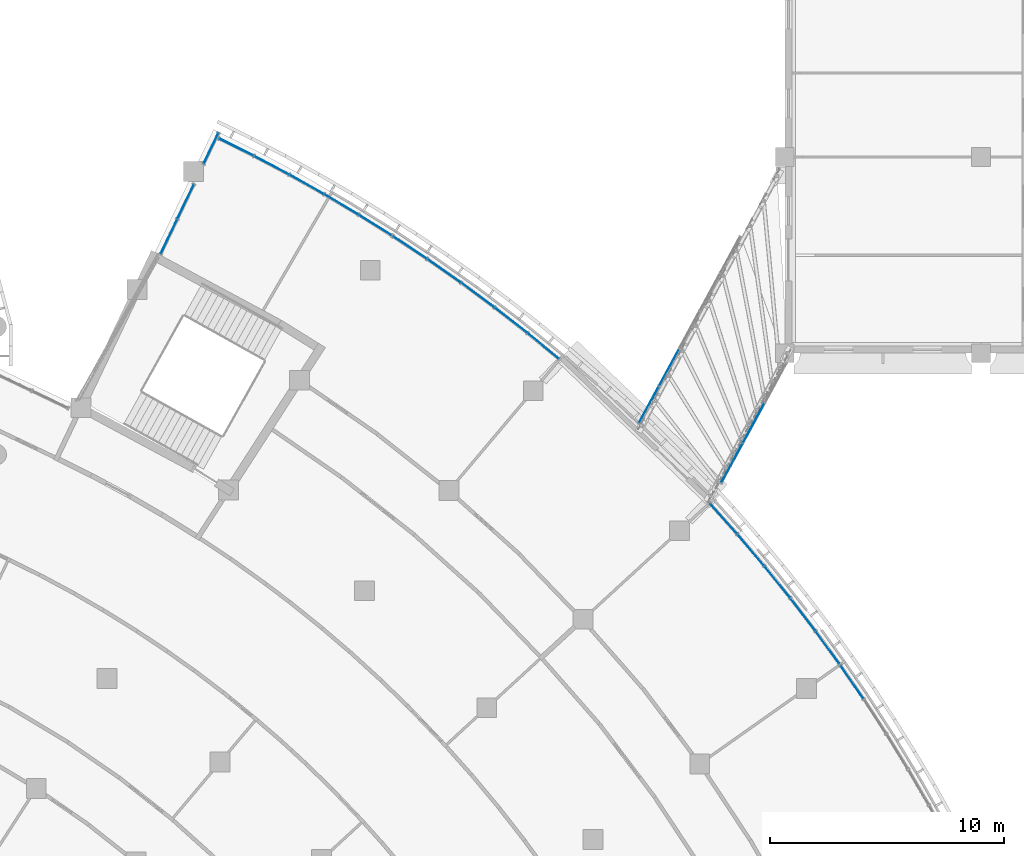
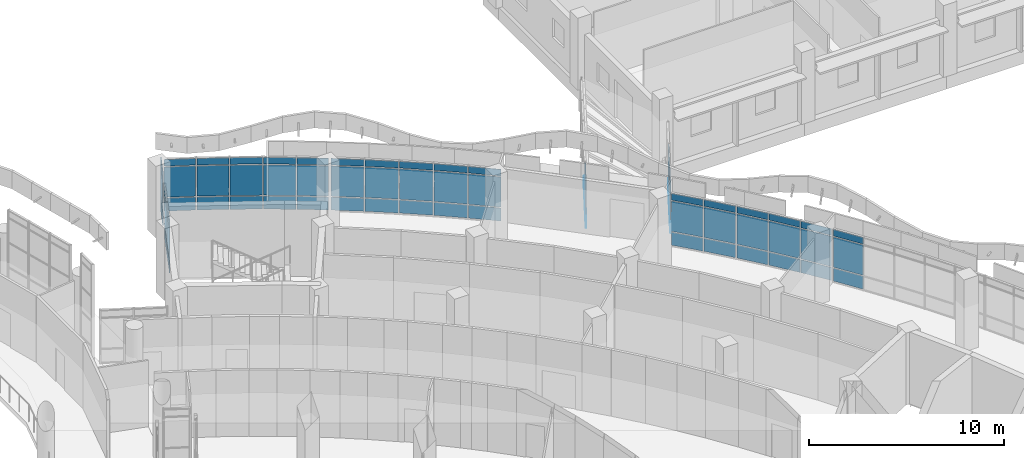
# One storey, part 52 of 136: 64 plates, 8 elements without a shape of their own.
"""IFC4 building model written with IfcOpenShell, lengths in metres."""

from ifc_helpers import new_model, si_unit, direction, frame, origin, origin_2d, place, context, subcontext, project, spatial, rectangle, extrude, material, layer, layer_set, type_object, element, aggregate, save


model = new_model("IFC4")

# Units and contexts
model_context = context("Model", 3, precision=1e-05, world=origin(), true_north=direction((0.0, 1.0)))
body_context = subcontext(model_context, "Body", "Model", "MODEL_VIEW")
ifc_project = project(units=[si_unit("LENGTHUNIT", "METRE"), si_unit("AREAUNIT", "SQUARE_METRE"), si_unit("VOLUMEUNIT", "CUBIC_METRE"), si_unit("PLANEANGLEUNIT", "RADIAN"), si_unit("MASSUNIT", "GRAM", prefix="KILO")], contexts=[model_context])

# Site, building, storey
site_placement = place(None, origin())
site = spatial("IfcSite", under=ifc_project, at=site_placement, CompositionType="ELEMENT")
building_placement = place(site_placement, origin())
building = spatial("IfcBuilding", under=site, at=building_placement, Name="Bougainvillea Quay General Hospital", CompositionType="ELEMENT")
storey_placement = place(building_placement, frame((0.0, 0.0, 5.39990234375)))
storey = spatial("IfcBuildingStorey", under=building, at=storey_placement, Name="L01", CompositionType="ELEMENT", Elevation=5.39990234375)

# Curtain wall, plates
ifc_material_1 = material(Name="Aluminium curtain wall system, powder-coated glazed", Category="aluminium")
curtain_wall_type_1 = type_object("IfcCurtainWallType", Name="Unitised curtain wall CW-2100", PredefinedType="NOTDEFINED", material=ifc_material_1)
curtain_wall_1_placement = place(storey_placement, origin())
curtain_wall_1 = element("IfcCurtainWall", 1, at=curtain_wall_1_placement, inside=storey, type_object=curtain_wall_type_1, Name="CW-E01 a23b0", PredefinedType="NOTDEFINED")
ifc_material_2 = material(Name="Insulated aluminium spandrel panel, white", Category="aluminium")
ifc_layer_1 = layer(ifc_material_2, 0.028076171875)
ifc_layer_set_1 = layer_set([ifc_layer_1], Name="Insulated aluminium spandrel panel, white")
plate_type_1 = type_object("IfcPlateType", Name="Insulated spandrel panel white 28", PredefinedType="CURTAIN_PANEL", material=ifc_layer_set_1)
plate_1_placement = place(storey_placement, frame((140.313720703125, 84.420654296875, 0.06005859375), z_axis=(0.0, 0.0, 1.0), x_axis=(0.895076038559, -0.445913540048, 0.0)))
plate_1 = element("IfcPlate", 2, at=plate_1_placement, type_object=plate_type_1, Name="CW-E01 spandrel panel 1.1", PredefinedType="CURTAIN_PANEL", context=body_context, shape_type="SweptSolid", body=[
    extrude(rectangle(XDim=1.62255859375, YDim=0.028076171875, at=origin_2d()), origin(), (0.0, 0.0, 1.0), 0.81005859375),
])
plate_2_placement = place(storey_placement, frame((140.313720703125, 84.420654296875, 2.88037109375), z_axis=(0.0, 0.0, 1.0), x_axis=(0.895076038559, -0.445913540048, 0.0)))
plate_2 = element("IfcPlate", 3, at=plate_2_placement, type_object=plate_type_1, Name="CW-E01 spandrel panel 1.3", PredefinedType="CURTAIN_PANEL", context=body_context, shape_type="SweptSolid", body=[
    extrude(rectangle(XDim=1.62255859375, YDim=0.028076171875, at=origin_2d()), origin(), (0.0, 0.0, 1.0), 0.409912109375),
])
plate_3_placement = place(storey_placement, frame((141.823486328125, 83.64501953125, 0.06005859375), z_axis=(0.0, 0.0, 1.0), x_axis=(0.883859430833, -0.467752612528, 0.0)))
plate_3 = element("IfcPlate", 4, at=plate_3_placement, type_object=plate_type_1, Name="CW-E01 spandrel panel 2.1", PredefinedType="CURTAIN_PANEL", context=body_context, shape_type="SweptSolid", body=[
    extrude(rectangle(XDim=1.65234375, YDim=0.028076171875, at=origin_2d()), origin(), (0.0, 0.0, 1.0), 0.81005859375),
])
plate_4_placement = place(storey_placement, frame((141.823486328125, 83.64501953125, 2.88037109375), z_axis=(0.0, 0.0, 1.0), x_axis=(0.883859430833, -0.467752612528, 0.0)))
plate_4 = element("IfcPlate", 5, at=plate_4_placement, type_object=plate_type_1, Name="CW-E01 spandrel panel 2.3", PredefinedType="CURTAIN_PANEL", context=body_context, shape_type="SweptSolid", body=[
    extrude(rectangle(XDim=1.65234375, YDim=0.028076171875, at=origin_2d()), origin(), (0.0, 0.0, 1.0), 0.409912109375),
])
plate_5_placement = place(storey_placement, frame((143.326904296875, 82.825439453125, 0.06005859375), z_axis=(0.0, 0.0, 1.0), x_axis=(0.872110070325, -0.489309743656, 0.0)))
plate_5 = element("IfcPlate", 6, at=plate_5_placement, type_object=plate_type_1, Name="CW-E01 spandrel panel 3.1", PredefinedType="CURTAIN_PANEL", context=body_context, shape_type="SweptSolid", body=[
    extrude(rectangle(XDim=1.65234375, YDim=0.028076171875, at=origin_2d()), origin(), (0.0, 0.0, 1.0), 0.81005859375),
])
plate_6_placement = place(storey_placement, frame((143.326904296875, 82.825439453125, 2.88037109375), z_axis=(0.0, 0.0, 1.0), x_axis=(0.872110070325, -0.489309743656, 0.0)))
plate_6 = element("IfcPlate", 7, at=plate_6_placement, type_object=plate_type_1, Name="CW-E01 spandrel panel 3.3", PredefinedType="CURTAIN_PANEL", context=body_context, shape_type="SweptSolid", body=[
    extrude(rectangle(XDim=1.65234375, YDim=0.028076171875, at=origin_2d()), origin(), (0.0, 0.0, 1.0), 0.409912109375),
])
plate_7_placement = place(storey_placement, frame((144.81005859375, 81.969482421875, 0.06005859375), z_axis=(0.0, 0.0, 1.0), x_axis=(0.859835039032, -0.510571939743, 0.0)))
plate_7 = element("IfcPlate", 8, at=plate_7_placement, type_object=plate_type_1, Name="CW-E01 spandrel panel 4.1", PredefinedType="CURTAIN_PANEL", context=body_context, shape_type="SweptSolid", body=[
    extrude(rectangle(XDim=1.65234375, YDim=0.028076171875, at=origin_2d()), origin(), (0.0, 0.0, 1.0), 0.81005859375),
])
plate_8_placement = place(storey_placement, frame((144.81005859375, 81.969482421875, 2.88037109375), z_axis=(0.0, 0.0, 1.0), x_axis=(0.859835039032, -0.510571939743, 0.0)))
plate_8 = element("IfcPlate", 9, at=plate_8_placement, type_object=plate_type_1, Name="CW-E01 spandrel panel 4.3", PredefinedType="CURTAIN_PANEL", context=body_context, shape_type="SweptSolid", body=[
    extrude(rectangle(XDim=1.65234375, YDim=0.028076171875, at=origin_2d()), origin(), (0.0, 0.0, 1.0), 0.409912109375),
])
plate_9_placement = place(storey_placement, frame((146.2587890625, 81.0849609375, 0.06005859375), z_axis=(0.0, 0.0, 1.0), x_axis=(0.847041735837, -0.531526384812, 0.0)))
plate_9 = element("IfcPlate", 10, at=plate_9_placement, type_object=plate_type_1, Name="CW-E01 spandrel panel 5.1", PredefinedType="CURTAIN_PANEL", context=body_context, shape_type="SweptSolid", body=[
    extrude(rectangle(XDim=1.62255859375, YDim=0.028076171875, at=origin_2d()), origin(), (0.0, 0.0, 1.0), 0.81005859375),
])
plate_10_placement = place(storey_placement, frame((146.2587890625, 81.0849609375, 2.88037109375), z_axis=(0.0, 0.0, 1.0), x_axis=(0.847041735837, -0.531526384812, 0.0)))
plate_10 = element("IfcPlate", 11, at=plate_10_placement, type_object=plate_type_1, Name="CW-E01 spandrel panel 5.3", PredefinedType="CURTAIN_PANEL", context=body_context, shape_type="SweptSolid", body=[
    extrude(rectangle(XDim=1.62255859375, YDim=0.028076171875, at=origin_2d()), origin(), (0.0, 0.0, 1.0), 0.409912109375),
])

curtain_wall_2_placement = place(storey_placement, origin())
curtain_wall_2 = element("IfcCurtainWall", 12, at=curtain_wall_2_placement, inside=storey, type_object=curtain_wall_type_1, Name="CW-E02 a23b1", PredefinedType="NOTDEFINED")
plate_11_placement = place(storey_placement, frame((147.7509765625, 80.121826171875, 0.06005859375), z_axis=(0.0, 0.0, 1.0), x_axis=(0.833469434396, -0.552565563465, 0.0)))
plate_11 = element("IfcPlate", 13, at=plate_11_placement, type_object=plate_type_1, Name="CW-E02 spandrel panel 1.1", PredefinedType="CURTAIN_PANEL", context=body_context, shape_type="SweptSolid", body=[
    extrude(rectangle(XDim=1.690185546875, YDim=0.028076171875, at=origin_2d()), origin(), (0.0, 0.0, 1.0), 0.81005859375),
])
plate_12_placement = place(storey_placement, frame((147.7509765625, 80.121826171875, 2.88037109375), z_axis=(0.0, 0.0, 1.0), x_axis=(0.833469434396, -0.552565563465, 0.0)))
plate_12 = element("IfcPlate", 14, at=plate_12_placement, type_object=plate_type_1, Name="CW-E02 spandrel panel 1.3", PredefinedType="CURTAIN_PANEL", context=body_context, shape_type="SweptSolid", body=[
    extrude(rectangle(XDim=1.690185546875, YDim=0.028076171875, at=origin_2d()), origin(), (0.0, 0.0, 1.0), 0.409912109375),
])
plate_13_placement = place(storey_placement, frame((149.20947265625, 79.127685546875, 0.06005859375), z_axis=(0.0, 0.0, 1.0), x_axis=(0.819095979911, -0.573656496253, 0.0)))
plate_13 = element("IfcPlate", 15, at=plate_13_placement, type_object=plate_type_1, Name="CW-E02 spandrel panel 2.1", PredefinedType="CURTAIN_PANEL", context=body_context, shape_type="SweptSolid", body=[
    extrude(rectangle(XDim=1.72021484375, YDim=0.028076171875, at=origin_2d()), origin(), (0.0, 0.0, 1.0), 0.81005859375),
])
plate_14_placement = place(storey_placement, frame((149.20947265625, 79.127685546875, 2.88037109375), z_axis=(0.0, 0.0, 1.0), x_axis=(0.819095979911, -0.573656496253, 0.0)))
plate_14 = element("IfcPlate", 16, at=plate_14_placement, type_object=plate_type_1, Name="CW-E02 spandrel panel 2.3", PredefinedType="CURTAIN_PANEL", context=body_context, shape_type="SweptSolid", body=[
    extrude(rectangle(XDim=1.72021484375, YDim=0.028076171875, at=origin_2d()), origin(), (0.0, 0.0, 1.0), 0.409912109375),
])
plate_15_placement = place(storey_placement, frame((150.654541015625, 78.087890625, 0.06005859375), z_axis=(0.0, 0.0, 1.0), x_axis=(0.804188946942, -0.594373735638, 0.0)))
plate_15 = element("IfcPlate", 17, at=plate_15_placement, type_object=plate_type_1, Name="CW-E02 spandrel panel 3.1", PredefinedType="CURTAIN_PANEL", context=body_context, shape_type="SweptSolid", body=[
    extrude(rectangle(XDim=1.72021484375, YDim=0.028076171875, at=origin_2d()), origin(), (0.0, 0.0, 1.0), 0.81005859375),
])
plate_16_placement = place(storey_placement, frame((150.654541015625, 78.087890625, 2.88037109375), z_axis=(0.0, 0.0, 1.0), x_axis=(0.804188946942, -0.594373735638, 0.0)))
plate_16 = element("IfcPlate", 18, at=plate_16_placement, type_object=plate_type_1, Name="CW-E02 spandrel panel 3.3", PredefinedType="CURTAIN_PANEL", context=body_context, shape_type="SweptSolid", body=[
    extrude(rectangle(XDim=1.72021484375, YDim=0.028076171875, at=origin_2d()), origin(), (0.0, 0.0, 1.0), 0.409912109375),
])
plate_17_placement = place(storey_placement, frame((152.072265625, 77.01171875, 0.06005859375), z_axis=(0.0, 0.0, 1.0), x_axis=(0.788758046282, -0.614703785921, 0.0)))
plate_17 = element("IfcPlate", 19, at=plate_17_placement, type_object=plate_type_1, Name="CW-E02 spandrel panel 4.1", PredefinedType="CURTAIN_PANEL", context=body_context, shape_type="SweptSolid", body=[
    extrude(rectangle(XDim=1.72021484375, YDim=0.028076171875, at=origin_2d()), origin(), (0.0, 0.0, 1.0), 0.81005859375),
])
plate_18_placement = place(storey_placement, frame((152.072265625, 77.01171875, 2.88037109375), z_axis=(0.0, 0.0, 1.0), x_axis=(0.788758046282, -0.614703785921, 0.0)))
plate_18 = element("IfcPlate", 20, at=plate_18_placement, type_object=plate_type_1, Name="CW-E02 spandrel panel 4.3", PredefinedType="CURTAIN_PANEL", context=body_context, shape_type="SweptSolid", body=[
    extrude(rectangle(XDim=1.72021484375, YDim=0.028076171875, at=origin_2d()), origin(), (0.0, 0.0, 1.0), 0.409912109375),
])
plate_19_placement = place(storey_placement, frame((153.45068359375, 75.9091796875, 0.06005859375), z_axis=(0.0, 0.0, 1.0), x_axis=(0.772813329985, -0.634633403626, 0.0)))
plate_19 = element("IfcPlate", 21, at=plate_19_placement, type_object=plate_type_1, Name="CW-E02 spandrel panel 5.1", PredefinedType="CURTAIN_PANEL", context=body_context, shape_type="SweptSolid", body=[
    extrude(rectangle(XDim=1.690185546875, YDim=0.028076171875, at=origin_2d()), origin(), (0.0, 0.0, 1.0), 0.81005859375),
])
plate_20_placement = place(storey_placement, frame((153.45068359375, 75.9091796875, 2.88037109375), z_axis=(0.0, 0.0, 1.0), x_axis=(0.772813329985, -0.634633403626, 0.0)))
plate_20 = element("IfcPlate", 22, at=plate_20_placement, type_object=plate_type_1, Name="CW-E02 spandrel panel 5.3", PredefinedType="CURTAIN_PANEL", context=body_context, shape_type="SweptSolid", body=[
    extrude(rectangle(XDim=1.690185546875, YDim=0.028076171875, at=origin_2d()), origin(), (0.0, 0.0, 1.0), 0.409912109375),
])

curtain_wall_3_placement = place(storey_placement, origin())
curtain_wall_3 = element("IfcCurtainWall", 23, at=curtain_wall_3_placement, inside=storey, type_object=curtain_wall_type_1, Name="CW-E04 a23b3", PredefinedType="NOTDEFINED")
plate_21_placement = place(storey_placement, frame((161.176513671875, 68.505859375, 0.06005859375), z_axis=(0.0, 0.0, 1.0), x_axis=(0.666959122159, -0.745094309044, 0.0)))
plate_21 = element("IfcPlate", 24, at=plate_21_placement, type_object=plate_type_1, Name="CW-E04 spandrel panel 1.1", PredefinedType="CURTAIN_PANEL", context=body_context, shape_type="SweptSolid", body=[
    extrude(rectangle(XDim=1.690185546875, YDim=0.028076171875, at=origin_2d()), origin(), (0.0, 0.0, 1.0), 0.81005859375),
])
plate_22_placement = place(storey_placement, frame((161.176513671875, 68.505859375, 2.88037109375), z_axis=(0.0, 0.0, 1.0), x_axis=(0.666959122159, -0.745094309044, 0.0)))
plate_22 = element("IfcPlate", 25, at=plate_22_placement, type_object=plate_type_1, Name="CW-E04 spandrel panel 1.3", PredefinedType="CURTAIN_PANEL", context=body_context, shape_type="SweptSolid", body=[
    extrude(rectangle(XDim=1.690185546875, YDim=0.028076171875, at=origin_2d()), origin(), (0.0, 0.0, 1.0), 0.409912109375),
])
plate_23_placement = place(storey_placement, frame((162.336669921875, 67.175537109375, 0.06005859375), z_axis=(0.0, 0.0, 1.0), x_axis=(0.647726390606, -0.761873035953, 0.0)))
plate_23 = element("IfcPlate", 26, at=plate_23_placement, type_object=plate_type_1, Name="CW-E04 spandrel panel 2.1", PredefinedType="CURTAIN_PANEL", context=body_context, shape_type="SweptSolid", body=[
    extrude(rectangle(XDim=1.72021484375, YDim=0.028076171875, at=origin_2d()), origin(), (0.0, 0.0, 1.0), 0.81005859375),
])
plate_24_placement = place(storey_placement, frame((162.336669921875, 67.175537109375, 2.88037109375), z_axis=(0.0, 0.0, 1.0), x_axis=(0.647726390606, -0.761873035953, 0.0)))
plate_24 = element("IfcPlate", 27, at=plate_24_placement, type_object=plate_type_1, Name="CW-E04 spandrel panel 2.3", PredefinedType="CURTAIN_PANEL", context=body_context, shape_type="SweptSolid", body=[
    extrude(rectangle(XDim=1.72021484375, YDim=0.028076171875, at=origin_2d()), origin(), (0.0, 0.0, 1.0), 0.409912109375),
])
plate_25_placement = place(storey_placement, frame((163.47216796875, 65.8046875, 0.06005859375), z_axis=(0.0, 0.0, 1.0), x_axis=(0.62807171477, -0.778155460757, 0.0)))
plate_25 = element("IfcPlate", 28, at=plate_25_placement, type_object=plate_type_1, Name="CW-E04 spandrel panel 3.1", PredefinedType="CURTAIN_PANEL", context=body_context, shape_type="SweptSolid", body=[
    extrude(rectangle(XDim=1.72021484375, YDim=0.028076171875, at=origin_2d()), origin(), (0.0, 0.0, 1.0), 0.81005859375),
])
plate_26_placement = place(storey_placement, frame((163.47216796875, 65.8046875, 2.88037109375), z_axis=(0.0, 0.0, 1.0), x_axis=(0.62807171477, -0.778155460757, 0.0)))
plate_26 = element("IfcPlate", 29, at=plate_26_placement, type_object=plate_type_1, Name="CW-E04 spandrel panel 3.3", PredefinedType="CURTAIN_PANEL", context=body_context, shape_type="SweptSolid", body=[
    extrude(rectangle(XDim=1.72021484375, YDim=0.028076171875, at=origin_2d()), origin(), (0.0, 0.0, 1.0), 0.409912109375),
])
plate_27_placement = place(storey_placement, frame((164.572509765625, 64.4052734375, 0.06005859375), z_axis=(0.0, 0.0, 1.0), x_axis=(0.608007898172, -0.793930976698, 0.0)))
plate_27 = element("IfcPlate", 30, at=plate_27_placement, type_object=plate_type_1, Name="CW-E04 spandrel panel 4.1", PredefinedType="CURTAIN_PANEL", context=body_context, shape_type="SweptSolid", body=[
    extrude(rectangle(XDim=1.72021484375, YDim=0.028076171875, at=origin_2d()), origin(), (0.0, 0.0, 1.0), 0.81005859375),
])
plate_28_placement = place(storey_placement, frame((164.572509765625, 64.4052734375, 2.88037109375), z_axis=(0.0, 0.0, 1.0), x_axis=(0.608007898172, -0.793930976698, 0.0)))
plate_28 = element("IfcPlate", 31, at=plate_28_placement, type_object=plate_type_1, Name="CW-E04 spandrel panel 4.3", PredefinedType="CURTAIN_PANEL", context=body_context, shape_type="SweptSolid", body=[
    extrude(rectangle(XDim=1.72021484375, YDim=0.028076171875, at=origin_2d()), origin(), (0.0, 0.0, 1.0), 0.409912109375),
])
plate_29_placement = place(storey_placement, frame((165.6279296875, 62.990478515625, 0.06005859375), z_axis=(0.0, 0.0, 1.0), x_axis=(0.587548010856, -0.809189307232, 0.0)))
plate_29 = element("IfcPlate", 32, at=plate_29_placement, type_object=plate_type_1, Name="CW-E04 spandrel panel 5.1", PredefinedType="CURTAIN_PANEL", context=body_context, shape_type="SweptSolid", body=[
    extrude(rectangle(XDim=1.690185546875, YDim=0.028076171875, at=origin_2d()), origin(), (0.0, 0.0, 1.0), 0.81005859375),
])
plate_30_placement = place(storey_placement, frame((165.6279296875, 62.990478515625, 2.88037109375), z_axis=(0.0, 0.0, 1.0), x_axis=(0.587548010856, -0.809189307232, 0.0)))
plate_30 = element("IfcPlate", 33, at=plate_30_placement, type_object=plate_type_1, Name="CW-E04 spandrel panel 5.3", PredefinedType="CURTAIN_PANEL", context=body_context, shape_type="SweptSolid", body=[
    extrude(rectangle(XDim=1.690185546875, YDim=0.028076171875, at=origin_2d()), origin(), (0.0, 0.0, 1.0), 0.409912109375),
])

curtain_wall_4_placement = place(storey_placement, origin())
curtain_wall_4 = element("IfcCurtainWall", 34, at=curtain_wall_4_placement, inside=storey, type_object=curtain_wall_type_1, Name="CW-E05 a23b4", PredefinedType="NOTDEFINED")
plate_31_placement = place(storey_placement, frame((166.672607421875, 61.512451171875, 0.06005859375), z_axis=(0.0, 0.0, 1.0), x_axis=(0.566705380876, -0.823920512723, 0.0)))
plate_31 = element("IfcPlate", 35, at=plate_31_placement, type_object=plate_type_1, Name="CW-E05 spandrel panel 1.1", PredefinedType="CURTAIN_PANEL", context=body_context, shape_type="SweptSolid", body=[
    extrude(rectangle(XDim=1.690185546875, YDim=0.028076171875, at=origin_2d()), origin(), (0.0, 0.0, 1.0), 0.81005859375),
])
plate_32_placement = place(storey_placement, frame((166.672607421875, 61.512451171875, 2.88037109375), z_axis=(0.0, 0.0, 1.0), x_axis=(0.566705380876, -0.823920512723, 0.0)))
plate_32 = element("IfcPlate", 36, at=plate_32_placement, type_object=plate_type_1, Name="CW-E05 spandrel panel 1.3", PredefinedType="CURTAIN_PANEL", context=body_context, shape_type="SweptSolid", body=[
    extrude(rectangle(XDim=1.690185546875, YDim=0.028076171875, at=origin_2d()), origin(), (0.0, 0.0, 1.0), 0.409912109375),
])

curtain_wall_type_2 = type_object("IfcCurtainWallType", Name="Unitised curtain wall CW-1555", PredefinedType="NOTDEFINED", material=ifc_material_1)
curtain_wall_5_placement = place(storey_placement, origin())
curtain_wall_5 = element("IfcCurtainWall", 37, at=curtain_wall_5_placement, inside=storey, type_object=curtain_wall_type_2, Name="CW-AE 00", PredefinedType="NOTDEFINED")
plate_33_placement = place(storey_placement, frame((139.22705078125, 84.37158203125, 0.06005859375), z_axis=(0.0, 0.0, 1.0), x_axis=(-0.430530445105, -0.902576055431, 0.0)))
plate_33 = element("IfcPlate", 38, at=plate_33_placement, type_object=plate_type_1, Name="CW-AE spandrel panel 1.1", PredefinedType="CURTAIN_PANEL", context=body_context, shape_type="SweptSolid", body=[
    extrude(rectangle(XDim=1.434814453125, YDim=0.028076171875, at=origin_2d()), origin(), (0.0, 0.0, 1.0), 0.81005859375),
])
plate_34_placement = place(storey_placement, frame((139.22705078125, 84.37158203125, 2.88037109375), z_axis=(0.0, 0.0, 1.0), x_axis=(-0.430530445105, -0.902576055431, 0.0)))
plate_34 = element("IfcPlate", 39, at=plate_34_placement, type_object=plate_type_1, Name="CW-AE spandrel panel 1.3", PredefinedType="CURTAIN_PANEL", context=body_context, shape_type="SweptSolid", body=[
    extrude(rectangle(XDim=1.434814453125, YDim=0.028076171875, at=origin_2d()), origin(), (0.0, 0.0, 1.0), 0.409912109375),
])

curtain_wall_type_3 = type_object("IfcCurtainWallType", Name="Unitised curtain wall CW-1691", PredefinedType="NOTDEFINED", material=ifc_material_1)
curtain_wall_6_placement = place(storey_placement, origin())
curtain_wall_6 = element("IfcCurtainWall", 40, at=curtain_wall_6_placement, inside=storey, type_object=curtain_wall_type_3, Name="CW-AE 01", PredefinedType="NOTDEFINED")
plate_35_placement = place(storey_placement, frame((138.138671875, 82.09033203125, 0.06005859375), z_axis=(0.0, 0.0, 1.0), x_axis=(-0.430530445105, -0.902576055431, 0.0)))
plate_35 = element("IfcPlate", 41, at=plate_35_placement, type_object=plate_type_1, Name="CW-AE spandrel panel 1.1", PredefinedType="CURTAIN_PANEL", context=body_context, shape_type="SweptSolid", body=[
    extrude(rectangle(XDim=1.600341796875, YDim=0.028076171875, at=origin_2d()), origin(), (0.0, 0.0, 1.0), 0.81005859375),
])
plate_36_placement = place(storey_placement, frame((138.138671875, 82.09033203125, 2.88037109375), z_axis=(0.0, 0.0, 1.0), x_axis=(-0.430530445105, -0.902576055431, 0.0)))
plate_36 = element("IfcPlate", 42, at=plate_36_placement, type_object=plate_type_1, Name="CW-AE spandrel panel 1.3", PredefinedType="CURTAIN_PANEL", context=body_context, shape_type="SweptSolid", body=[
    extrude(rectangle(XDim=1.600341796875, YDim=0.028076171875, at=origin_2d()), origin(), (0.0, 0.0, 1.0), 0.409912109375),
])
plate_37_placement = place(storey_placement, frame((137.423828125, 80.591796875, 0.06005859375), z_axis=(0.0, 0.0, 1.0), x_axis=(-0.430530445105, -0.902576055431, 0.0)))
plate_37 = element("IfcPlate", 43, at=plate_37_placement, type_object=plate_type_1, Name="CW-AE spandrel panel 2.1", PredefinedType="CURTAIN_PANEL", context=body_context, shape_type="SweptSolid", body=[
    extrude(rectangle(XDim=1.600341796875, YDim=0.028076171875, at=origin_2d()), origin(), (0.0, 0.0, 1.0), 0.81005859375),
])
plate_38_placement = place(storey_placement, frame((137.423828125, 80.591796875, 2.88037109375), z_axis=(0.0, 0.0, 1.0), x_axis=(-0.430530445105, -0.902576055431, 0.0)))
plate_38 = element("IfcPlate", 44, at=plate_38_placement, type_object=plate_type_1, Name="CW-AE spandrel panel 2.3", PredefinedType="CURTAIN_PANEL", context=body_context, shape_type="SweptSolid", body=[
    extrude(rectangle(XDim=1.600341796875, YDim=0.028076171875, at=origin_2d()), origin(), (0.0, 0.0, 1.0), 0.409912109375),
])

curtain_wall_7_placement = place(storey_placement, origin())
curtain_wall_7 = element("IfcCurtainWall", 45, at=curtain_wall_7_placement, inside=storey, type_object=curtain_wall_type_1, Name="BG-L L", PredefinedType="NOTDEFINED")
plate_39_placement = place(storey_placement, frame((157.97216796875, 73.390625, 0.06005859375), z_axis=(0.0, 0.0, 1.0), x_axis=(0.477017106163, 0.878894009781, 0.0)))
plate_39 = element("IfcPlate", 46, at=plate_39_placement, type_object=plate_type_1, Name="BG-L spandrel panel 1.1", PredefinedType="CURTAIN_PANEL", context=body_context, shape_type="SweptSolid", body=[
    extrude(rectangle(XDim=1.743896484375, YDim=0.028076171875, at=origin_2d()), origin(), (0.0, 0.0, 1.0), 0.81005859375),
])
plate_40_placement = place(storey_placement, frame((158.83984375, 74.9892578125, 0.06005859375), z_axis=(0.0, 0.0, 1.0), x_axis=(0.477017106163, 0.878894009781, 0.0)))
plate_40 = element("IfcPlate", 47, at=plate_40_placement, type_object=plate_type_1, Name="BG-L spandrel panel 2.1", PredefinedType="CURTAIN_PANEL", context=body_context, shape_type="SweptSolid", body=[
    extrude(rectangle(XDim=1.77392578125, YDim=0.028076171875, at=origin_2d()), origin(), (0.0, 0.0, 1.0), 0.81005859375),
])

curtain_wall_8_placement = place(storey_placement, origin())
curtain_wall_8 = element("IfcCurtainWall", 48, at=curtain_wall_8_placement, inside=storey, type_object=curtain_wall_type_1, Name="BG-R R", PredefinedType="NOTDEFINED")
plate_41_placement = place(storey_placement, frame((162.46044921875, 72.603759765625, 0.06005859375), z_axis=(0.0, 0.0, 1.0), x_axis=(-0.477017106163, -0.878894009781, 0.0)))
plate_41 = element("IfcPlate", 49, at=plate_41_placement, type_object=plate_type_1, Name="BG-R spandrel panel 2.1", PredefinedType="CURTAIN_PANEL", context=body_context, shape_type="SweptSolid", body=[
    extrude(rectangle(XDim=1.9091796875, YDim=0.028076171875, at=origin_2d()), origin(), (0.0, 0.0, 1.0), 0.81005859375),
])
plate_42_placement = place(storey_placement, frame((161.5283203125, 70.88623046875, 0.06005859375), z_axis=(0.0, 0.0, 1.0), x_axis=(-0.477017106163, -0.878894009781, 0.0)))
plate_42 = element("IfcPlate", 50, at=plate_42_placement, type_object=plate_type_1, Name="BG-R spandrel panel 3.1", PredefinedType="CURTAIN_PANEL", context=body_context, shape_type="SweptSolid", body=[
    extrude(rectangle(XDim=1.87939453125, YDim=0.028076171875, at=origin_2d()), origin(), (0.0, 0.0, 1.0), 0.81005859375),
])

# Plate
ifc_material_3 = material(Name="Low-e laminated glass, solar control", Category="glass")
ifc_layer_2 = layer(ifc_material_3, 0.028076171875)
ifc_layer_set_2 = layer_set([ifc_layer_2], Name="Low-e laminated glass, solar control")
plate_type_2 = type_object("IfcPlateType", Name="Low-e laminated vision glass 28", PredefinedType="CURTAIN_PANEL", material=ifc_layer_set_2)
plate_43_placement = place(storey_placement, frame((140.313720703125, 84.420654296875, 0.93017578125), z_axis=(0.0, 0.0, 1.0), x_axis=(0.895076038559, -0.445913540048, 0.0)))
plate_43 = element("IfcPlate", 51, at=plate_43_placement, type_object=plate_type_2, Name="CW-E01 vision glass panel 1.2", PredefinedType="CURTAIN_PANEL", context=body_context, shape_type="SweptSolid", body=[
    extrude(rectangle(XDim=1.62255859375, YDim=0.028076171875, at=origin_2d()), origin(), (0.0, 0.0, 1.0), 1.889892578125),
])

plate_44_placement = place(storey_placement, frame((141.823486328125, 83.64501953125, 0.93017578125), z_axis=(0.0, 0.0, 1.0), x_axis=(0.883859430833, -0.467752612528, 0.0)))
plate_44 = element("IfcPlate", 52, at=plate_44_placement, type_object=plate_type_2, Name="CW-E01 vision glass panel 2.2", PredefinedType="CURTAIN_PANEL", context=body_context, shape_type="SweptSolid", body=[
    extrude(rectangle(XDim=1.65234375, YDim=0.028076171875, at=origin_2d()), origin(), (0.0, 0.0, 1.0), 1.889892578125),
])

plate_45_placement = place(storey_placement, frame((143.326904296875, 82.825439453125, 0.93017578125), z_axis=(0.0, 0.0, 1.0), x_axis=(0.872110070325, -0.489309743656, 0.0)))
plate_45 = element("IfcPlate", 53, at=plate_45_placement, type_object=plate_type_2, Name="CW-E01 vision glass panel 3.2", PredefinedType="CURTAIN_PANEL", context=body_context, shape_type="SweptSolid", body=[
    extrude(rectangle(XDim=1.65234375, YDim=0.028076171875, at=origin_2d()), origin(), (0.0, 0.0, 1.0), 1.889892578125),
])

plate_46_placement = place(storey_placement, frame((144.81005859375, 81.969482421875, 0.93017578125), z_axis=(0.0, 0.0, 1.0), x_axis=(0.859835039032, -0.510571939743, 0.0)))
plate_46 = element("IfcPlate", 54, at=plate_46_placement, type_object=plate_type_2, Name="CW-E01 vision glass panel 4.2", PredefinedType="CURTAIN_PANEL", context=body_context, shape_type="SweptSolid", body=[
    extrude(rectangle(XDim=1.65234375, YDim=0.028076171875, at=origin_2d()), origin(), (0.0, 0.0, 1.0), 1.889892578125),
])

plate_47_placement = place(storey_placement, frame((146.2587890625, 81.0849609375, 0.93017578125), z_axis=(0.0, 0.0, 1.0), x_axis=(0.847041735837, -0.531526384812, 0.0)))
plate_47 = element("IfcPlate", 55, at=plate_47_placement, type_object=plate_type_2, Name="CW-E01 vision glass panel 5.2", PredefinedType="CURTAIN_PANEL", context=body_context, shape_type="SweptSolid", body=[
    extrude(rectangle(XDim=1.62255859375, YDim=0.028076171875, at=origin_2d()), origin(), (0.0, 0.0, 1.0), 1.889892578125),
])

aggregate(curtain_wall_1, [plate_1, plate_43, plate_2, plate_3, plate_44, plate_4, plate_5, plate_45, plate_6, plate_7, plate_46, plate_8, plate_9, plate_47, plate_10])

plate_48_placement = place(storey_placement, frame((147.7509765625, 80.121826171875, 0.93017578125), z_axis=(0.0, 0.0, 1.0), x_axis=(0.833469434396, -0.552565563465, 0.0)))
plate_48 = element("IfcPlate", 56, at=plate_48_placement, type_object=plate_type_2, Name="CW-E02 vision glass panel 1.2", PredefinedType="CURTAIN_PANEL", context=body_context, shape_type="SweptSolid", body=[
    extrude(rectangle(XDim=1.690185546875, YDim=0.028076171875, at=origin_2d()), origin(), (0.0, 0.0, 1.0), 1.889892578125),
])

plate_49_placement = place(storey_placement, frame((149.20947265625, 79.127685546875, 0.93017578125), z_axis=(0.0, 0.0, 1.0), x_axis=(0.819095979911, -0.573656496253, 0.0)))
plate_49 = element("IfcPlate", 57, at=plate_49_placement, type_object=plate_type_2, Name="CW-E02 vision glass panel 2.2", PredefinedType="CURTAIN_PANEL", context=body_context, shape_type="SweptSolid", body=[
    extrude(rectangle(XDim=1.72021484375, YDim=0.028076171875, at=origin_2d()), origin(), (0.0, 0.0, 1.0), 1.889892578125),
])

plate_50_placement = place(storey_placement, frame((150.654541015625, 78.087890625, 0.93017578125), z_axis=(0.0, 0.0, 1.0), x_axis=(0.804188946942, -0.594373735638, 0.0)))
plate_50 = element("IfcPlate", 58, at=plate_50_placement, type_object=plate_type_2, Name="CW-E02 vision glass panel 3.2", PredefinedType="CURTAIN_PANEL", context=body_context, shape_type="SweptSolid", body=[
    extrude(rectangle(XDim=1.72021484375, YDim=0.028076171875, at=origin_2d()), origin(), (0.0, 0.0, 1.0), 1.889892578125),
])

plate_51_placement = place(storey_placement, frame((152.072265625, 77.01171875, 0.93017578125), z_axis=(0.0, 0.0, 1.0), x_axis=(0.788758046282, -0.614703785921, 0.0)))
plate_51 = element("IfcPlate", 59, at=plate_51_placement, type_object=plate_type_2, Name="CW-E02 vision glass panel 4.2", PredefinedType="CURTAIN_PANEL", context=body_context, shape_type="SweptSolid", body=[
    extrude(rectangle(XDim=1.72021484375, YDim=0.028076171875, at=origin_2d()), origin(), (0.0, 0.0, 1.0), 1.889892578125),
])

plate_52_placement = place(storey_placement, frame((153.45068359375, 75.9091796875, 0.93017578125), z_axis=(0.0, 0.0, 1.0), x_axis=(0.772813329985, -0.634633403626, 0.0)))
plate_52 = element("IfcPlate", 60, at=plate_52_placement, type_object=plate_type_2, Name="CW-E02 vision glass panel 5.2", PredefinedType="CURTAIN_PANEL", context=body_context, shape_type="SweptSolid", body=[
    extrude(rectangle(XDim=1.690185546875, YDim=0.028076171875, at=origin_2d()), origin(), (0.0, 0.0, 1.0), 1.889892578125),
])

aggregate(curtain_wall_2, [plate_11, plate_48, plate_12, plate_13, plate_49, plate_14, plate_15, plate_50, plate_16, plate_17, plate_51, plate_18, plate_19, plate_52, plate_20])

plate_53_placement = place(storey_placement, frame((161.176513671875, 68.505859375, 0.93017578125), z_axis=(0.0, 0.0, 1.0), x_axis=(0.666959122159, -0.745094309044, 0.0)))
plate_53 = element("IfcPlate", 61, at=plate_53_placement, type_object=plate_type_2, Name="CW-E04 vision glass panel 1.2", PredefinedType="CURTAIN_PANEL", context=body_context, shape_type="SweptSolid", body=[
    extrude(rectangle(XDim=1.690185546875, YDim=0.028076171875, at=origin_2d()), origin(), (0.0, 0.0, 1.0), 1.889892578125),
])

plate_54_placement = place(storey_placement, frame((162.336669921875, 67.175537109375, 0.93017578125), z_axis=(0.0, 0.0, 1.0), x_axis=(0.647726390606, -0.761873035953, 0.0)))
plate_54 = element("IfcPlate", 62, at=plate_54_placement, type_object=plate_type_2, Name="CW-E04 vision glass panel 2.2", PredefinedType="CURTAIN_PANEL", context=body_context, shape_type="SweptSolid", body=[
    extrude(rectangle(XDim=1.72021484375, YDim=0.028076171875, at=origin_2d()), origin(), (0.0, 0.0, 1.0), 1.889892578125),
])

plate_55_placement = place(storey_placement, frame((163.47216796875, 65.8046875, 0.93017578125), z_axis=(0.0, 0.0, 1.0), x_axis=(0.62807171477, -0.778155460757, 0.0)))
plate_55 = element("IfcPlate", 63, at=plate_55_placement, type_object=plate_type_2, Name="CW-E04 vision glass panel 3.2", PredefinedType="CURTAIN_PANEL", context=body_context, shape_type="SweptSolid", body=[
    extrude(rectangle(XDim=1.72021484375, YDim=0.028076171875, at=origin_2d()), origin(), (0.0, 0.0, 1.0), 1.889892578125),
])

plate_56_placement = place(storey_placement, frame((164.572509765625, 64.4052734375, 0.93017578125), z_axis=(0.0, 0.0, 1.0), x_axis=(0.608007898172, -0.793930976698, 0.0)))
plate_56 = element("IfcPlate", 64, at=plate_56_placement, type_object=plate_type_2, Name="CW-E04 vision glass panel 4.2", PredefinedType="CURTAIN_PANEL", context=body_context, shape_type="SweptSolid", body=[
    extrude(rectangle(XDim=1.72021484375, YDim=0.028076171875, at=origin_2d()), origin(), (0.0, 0.0, 1.0), 1.889892578125),
])

plate_57_placement = place(storey_placement, frame((165.6279296875, 62.990478515625, 0.93017578125), z_axis=(0.0, 0.0, 1.0), x_axis=(0.587548010856, -0.809189307232, 0.0)))
plate_57 = element("IfcPlate", 65, at=plate_57_placement, type_object=plate_type_2, Name="CW-E04 vision glass panel 5.2", PredefinedType="CURTAIN_PANEL", context=body_context, shape_type="SweptSolid", body=[
    extrude(rectangle(XDim=1.690185546875, YDim=0.028076171875, at=origin_2d()), origin(), (0.0, 0.0, 1.0), 1.889892578125),
])

aggregate(curtain_wall_3, [plate_21, plate_53, plate_22, plate_23, plate_54, plate_24, plate_25, plate_55, plate_26, plate_27, plate_56, plate_28, plate_29, plate_57, plate_30])

plate_58_placement = place(storey_placement, frame((166.672607421875, 61.512451171875, 0.93017578125), z_axis=(0.0, 0.0, 1.0), x_axis=(0.566705380876, -0.823920512723, 0.0)))
plate_58 = element("IfcPlate", 66, at=plate_58_placement, type_object=plate_type_2, Name="CW-E05 vision glass panel 1.2", PredefinedType="CURTAIN_PANEL", context=body_context, shape_type="SweptSolid", body=[
    extrude(rectangle(XDim=1.690185546875, YDim=0.028076171875, at=origin_2d()), origin(), (0.0, 0.0, 1.0), 1.889892578125),
])

aggregate(curtain_wall_4, [plate_31, plate_58, plate_32])

plate_59_placement = place(storey_placement, frame((139.22705078125, 84.37158203125, 0.93017578125), z_axis=(0.0, 0.0, 1.0), x_axis=(-0.430530445105, -0.902576055431, 0.0)))
plate_59 = element("IfcPlate", 67, at=plate_59_placement, type_object=plate_type_2, Name="CW-AE vision glass panel 1.2", PredefinedType="CURTAIN_PANEL", context=body_context, shape_type="SweptSolid", body=[
    extrude(rectangle(XDim=1.434814453125, YDim=0.028076171875, at=origin_2d()), origin(), (0.0, 0.0, 1.0), 1.889892578125),
])

aggregate(curtain_wall_5, [plate_33, plate_59, plate_34])

plate_60_placement = place(storey_placement, frame((138.138671875, 82.09033203125, 0.93017578125), z_axis=(0.0, 0.0, 1.0), x_axis=(-0.430530445105, -0.902576055431, 0.0)))
plate_60 = element("IfcPlate", 68, at=plate_60_placement, type_object=plate_type_2, Name="CW-AE vision glass panel 1.2", PredefinedType="CURTAIN_PANEL", context=body_context, shape_type="SweptSolid", body=[
    extrude(rectangle(XDim=1.600341796875, YDim=0.028076171875, at=origin_2d()), origin(), (0.0, 0.0, 1.0), 1.889892578125),
])

plate_61_placement = place(storey_placement, frame((137.423828125, 80.591796875, 0.93017578125), z_axis=(0.0, 0.0, 1.0), x_axis=(-0.430530445105, -0.902576055431, 0.0)))
plate_61 = element("IfcPlate", 69, at=plate_61_placement, type_object=plate_type_2, Name="CW-AE vision glass panel 2.2", PredefinedType="CURTAIN_PANEL", context=body_context, shape_type="SweptSolid", body=[
    extrude(rectangle(XDim=1.600341796875, YDim=0.028076171875, at=origin_2d()), origin(), (0.0, 0.0, 1.0), 1.889892578125),
])

aggregate(curtain_wall_6, [plate_35, plate_60, plate_36, plate_37, plate_61, plate_38])

plate_62_placement = place(storey_placement, frame((157.97216796875, 73.390625, 0.93017578125), z_axis=(0.0, 0.0, 1.0), x_axis=(0.477017106163, 0.878894009781, 0.0)))
plate_62 = element("IfcPlate", 70, at=plate_62_placement, type_object=plate_type_2, Name="BG-L vision glass panel 1.2", PredefinedType="CURTAIN_PANEL", context=body_context, shape_type="SweptSolid", body=[
    extrude(rectangle(XDim=1.743896484375, YDim=0.028076171875, at=origin_2d()), origin(), (0.0, 0.0, 1.0), 2.010009765625),
])

aggregate(curtain_wall_7, [plate_39, plate_62, plate_40])

plate_63_placement = place(storey_placement, frame((162.46044921875, 72.603759765625, 0.93017578125), z_axis=(0.0, 0.0, 1.0), x_axis=(-0.477017106163, -0.878894009781, 0.0)))
plate_63 = element("IfcPlate", 71, at=plate_63_placement, type_object=plate_type_2, Name="BG-R vision glass panel 2.2", PredefinedType="CURTAIN_PANEL", context=body_context, shape_type="SweptSolid", body=[
    extrude(rectangle(XDim=1.9091796875, YDim=0.028076171875, at=origin_2d()), origin(), (0.0, 0.0, 1.0), 2.010009765625),
])

plate_64_placement = place(storey_placement, frame((161.5283203125, 70.88623046875, 0.93017578125), z_axis=(0.0, 0.0, 1.0), x_axis=(-0.477017106163, -0.878894009781, 0.0)))
plate_64 = element("IfcPlate", 72, at=plate_64_placement, type_object=plate_type_2, Name="BG-R vision glass panel 3.2", PredefinedType="CURTAIN_PANEL", context=body_context, shape_type="SweptSolid", body=[
    extrude(rectangle(XDim=1.87939453125, YDim=0.028076171875, at=origin_2d()), origin(), (0.0, 0.0, 1.0), 2.010009765625),
])

aggregate(curtain_wall_8, [plate_41, plate_63, plate_42, plate_64])

save(model, "model.ifc")
